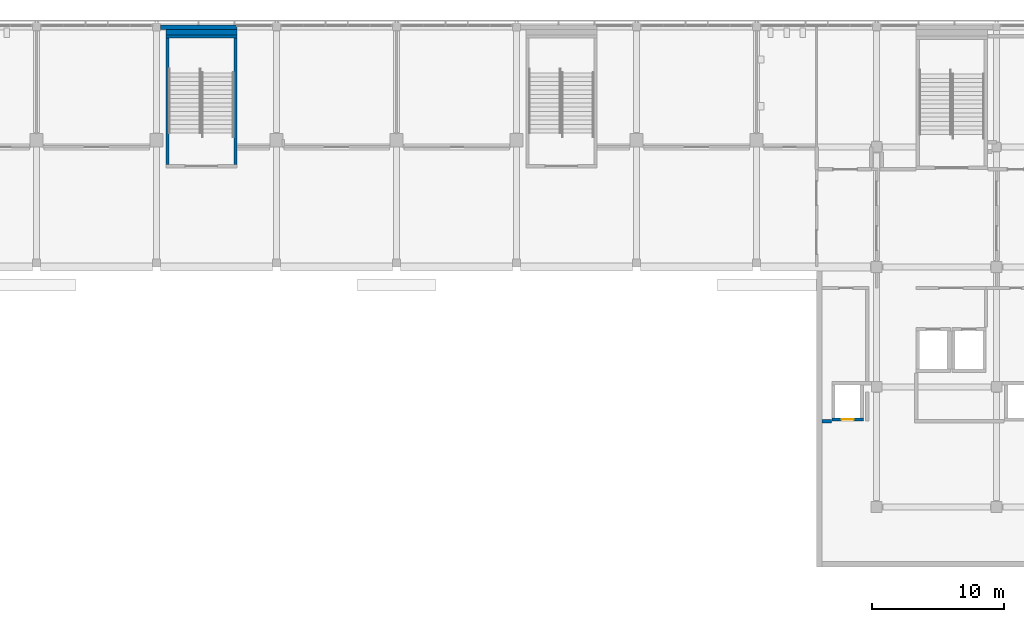
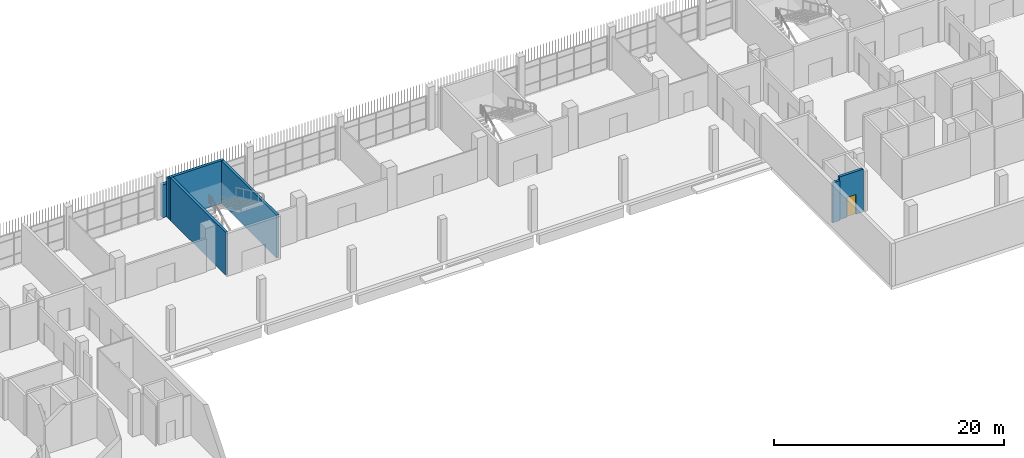
# One storey, part 83 of 126: 7 walls, 1 door, 1 opening.
"""IFC4 building model written with IfcOpenShell, lengths in metres."""

from ifc_helpers import new_model, si_unit, direction, frame, frame_2d, origin, place, context, subcontext, project, spatial, rectangle, extrude, material, layer, layer_set, type_object, element, fill, save


model = new_model("IFC4")

# Units and contexts
model_context = context("Model", 3, precision=1e-05, world=origin(), true_north=direction((0.0, 1.0)))
body_context = subcontext(model_context, "Body", "Model", "MODEL_VIEW")
ifc_project = project(units=[si_unit("LENGTHUNIT", "METRE"), si_unit("AREAUNIT", "SQUARE_METRE"), si_unit("VOLUMEUNIT", "CUBIC_METRE"), si_unit("PLANEANGLEUNIT", "RADIAN"), si_unit("MASSUNIT", "GRAM", prefix="KILO")], contexts=[model_context])

# Site, building, storey
site_placement = place(None, origin())
site = spatial("IfcSite", under=ifc_project, at=site_placement, CompositionType="ELEMENT")
building_placement = place(site_placement, origin())
building = spatial("IfcBuilding", under=site, at=building_placement, Name="Shirokan Park Arena", CompositionType="ELEMENT")
storey_placement = place(building_placement, frame((0.0, 0.0, 6.3701171875)))
storey = spatial("IfcBuildingStorey", under=building, at=storey_placement, Name="L01", CompositionType="ELEMENT", Elevation=6.3701171875)

# Walls
ifc_material_1 = material(Name="Plaster")
ifc_layer_1 = layer(ifc_material_1, 0.014892578125, Name="Plaster")
ifc_material_2 = material(Name="Concrete blockwork", Category="masonry")
ifc_layer_2 = layer(ifc_material_2, 0.219970703125, Name="Concrete blockwork 220")
ifc_layer_3 = layer(ifc_material_1, 0.014892578125, Name="Plaster")
ifc_layer_set_1 = layer_set([ifc_layer_1, ifc_layer_2, ifc_layer_3], Name="Plaster + Concrete blockwork 220")
wall_type_1 = type_object("IfcWallType", Name="Compartment wall 250", PredefinedType="SOLIDWALL", material=ifc_layer_set_1)
wall_1_placement = place(storey_placement, frame((105.77001953125, 79.300048828125, 0.0), z_axis=(0.0, 0.0, 1.0), x_axis=(-1.0, 0.0, 0.0)))
element("IfcWall", 1, at=wall_1_placement, inside=storey, type_object=wall_type_1, Name="Compartment wall 250 L01", PredefinedType="SOLIDWALL", context=body_context, shape_type="SweptSolid", body=[
    extrude(rectangle(XDim=0.719970703125, YDim=0.25, at=frame_2d((0.35986328125, 0.0))), origin(), (0.0, 0.0, 1.0), 4.25),
])
ifc_material_3 = material(Name="Cedar cladding")
ifc_layer_4 = layer(ifc_material_3, 0.030029296875, Name="Cedar cladding")
ifc_material_4 = material(Name="Mineral wool insulation")
ifc_layer_5 = layer(ifc_material_4, 0.10009765625, Name="Mineral wool insulation")
ifc_material_5 = material(Name="Concrete C35", Category="concrete")
ifc_layer_6 = layer(ifc_material_5, 0.199951171875, Name="Concrete C35")
ifc_material_6 = material(Name="Gypsum board lining")
ifc_layer_7 = layer(ifc_material_6, 0.02001953125, Name="Gypsum board lining")
ifc_layer_set_2 = layer_set([ifc_layer_4, ifc_layer_5, ifc_layer_6, ifc_layer_7], Name="Cedar cladding + Mineral wool insulation + Concrete C35 + Gypsum board lining")
wall_type_2 = type_object("IfcWallType", Name="Insulated tower wall 350", PredefinedType="SOLIDWALL", material=ifc_layer_set_2)
wall_2_placement = place(storey_placement, frame((60.699951171875, 109.175048828125, 0.0), z_axis=(0.0, 0.0, 1.0), x_axis=(-1.0, 0.0, 0.0)))
element("IfcWall", 2, at=wall_2_placement, inside=storey, type_object=wall_type_2, Name="North facade wall bay 10 L01", PredefinedType="SOLIDWALL", context=body_context, shape_type="SweptSolid", body=[
    extrude(rectangle(XDim=5.800048828125, YDim=0.35009765625, at=frame_2d((2.89990234375, 0.0))), origin(), (0.0, 0.0, 1.0), 3.5),
])

# Wall, opening, door
ifc_material_7 = material(Name="Concrete C40/50", Category="concrete")
ifc_layer_8 = layer(ifc_material_7, 0.25)
ifc_layer_set_3 = layer_set([ifc_layer_8], Name="Concrete C40/50 250 mm")
wall_type_3 = type_object("IfcWallType", Name="RC shear wall 250", PredefinedType="SHEAR", material=ifc_layer_set_3)
wall_3_placement = place(storey_placement, frame((108.199951171875, 79.425048828125, 0.0), z_axis=(0.0, 0.0, 1.0), x_axis=(-1.0, 0.0, 0.0)))
wall_3 = element("IfcWall", 3, at=wall_3_placement, inside=storey, type_object=wall_type_3, Name="Shaft wall Services Riser 3.1 S L01", PredefinedType="SHEAR", context=body_context, shape_type="SweptSolid", body=[
    extrude(rectangle(XDim=2.39990234375, YDim=0.25, at=frame_2d((1.199951171875, 0.0))), origin(), (0.0, 0.0, 1.0), 4.5498046875),
])
opening_placement = place(wall_3_placement, frame((0.75, 0.0, 0.0)))
opening = element("IfcOpeningElement", 4, at=opening_placement, cuts=wall_3, Name="Opening D-1099", PredefinedType="OPENING", context=body_context, shape_type="SweptSolid", body=[
    extrude(rectangle(XDim=0.89990234375, YDim=2.10009765625, at=frame_2d((0.449951171875, 1.050048828125))), frame((0.0, 0.135009765625, 0.0), z_axis=(0.0, -1.0, 0.0), x_axis=(1.0, 0.0, 0.0)), (0.0, 0.0, 1.0), 0.27001953125),
])
ifc_material_8 = material(Name="Steel door set, fire resisting", Category="steel")
door_type = type_object("IfcDoorType", Name="Electrical riser door 900 x 2100", OperationType="SINGLE_SWING_LEFT", PredefinedType="DOOR", material=ifc_material_8)
door_placement = place(opening_placement, origin())
door = element("IfcDoor", 5, at=door_placement, inside=storey, type_object=door_type, Name="Riser access door Services Riser 3.1 D-1099", OperationType="SINGLE_SWING_LEFT", OverallHeight=2.10009765625, OverallWidth=0.89990234375, PredefinedType="DOOR", context=body_context, shape_type="SweptSolid", body=[
    extrude(rectangle(XDim=0.89990234375, YDim=2.10009765625, at=frame_2d((0.449951171875, 1.050048828125))), frame((0.0, 0.02490234375, 0.0), z_axis=(0.0, -1.0, 0.0), x_axis=(1.0, 0.0, 0.0)), (0.0, 0.0, 1.0), 0.050048828125),
])
fill(opening, door)

# Walls
wall_4_placement = place(storey_placement, frame((60.699951171875, 108.47509765625, 0.0), z_axis=(0.0, 0.0, 1.0), x_axis=(-1.0, 0.0, 0.0)))
element("IfcWall", 6, at=wall_4_placement, inside=storey, type_object=wall_type_3, Name="Shaft wall Entrance Stair E4.1 N L01", PredefinedType="SHEAR", context=body_context, shape_type="SweptSolid", body=[
    extrude(rectangle(XDim=5.39990234375, YDim=0.25, at=frame_2d((2.699951171875, 0.0))), origin(), (0.0, 0.0, 1.0), 4.5498046875),
])
for number, where, z_axis, x_axis, name in (
    (7, (55.425048828125, 108.35009765625, 0.0), (0.0, 0.0, 1.0), (0.0, -1.0, 0.0), "Shaft wall Entrance Stair E4.1 W L01"),
    (8, (60.574951171875, 108.35009765625, 0.0), (0.0, 0.0, 1.0), (0.0, -1.0, 0.0), "Shaft wall Entrance Stair E4.1 E L01"),
):
    element("IfcWall", number, at=place(storey_placement, frame(where, z_axis=z_axis, x_axis=x_axis)), inside=storey, type_object=wall_type_3, Name=name, PredefinedType="SHEAR", context=body_context, shape_type="SweptSolid", body=[
        extrude(rectangle(XDim=9.60009765625, YDim=0.25, at=frame_2d((4.800048828125, 0.0))), origin(), (0.0, 0.0, 1.0), 4.5498046875),
    ])
ifc_layer_9 = layer(ifc_material_5, 0.39990234375)
ifc_layer_set_4 = layer_set([ifc_layer_9], Name="Concrete C35 400 mm")
wall_type_4 = type_object("IfcWallType", Name="Shaft infill wall 400", PredefinedType="SOLIDWALL", material=ifc_layer_set_4)
wall_5_placement = place(storey_placement, frame((55.300048828125, 108.800048828125, 0.0), z_axis=(0.0, 0.0, 1.0), x_axis=(1.0, 0.0, 0.0)))
element("IfcWall", 9, at=wall_5_placement, inside=storey, type_object=wall_type_4, Name="Shaft infill wall L01", PredefinedType="SOLIDWALL", context=body_context, shape_type="SweptSolid", body=[
    extrude(rectangle(XDim=5.39990234375, YDim=0.39990234375, at=frame_2d((2.699951171875, 0.0))), origin(), (0.0, 0.0, 1.0), 4.25),
])

save(model, "model.ifc")
